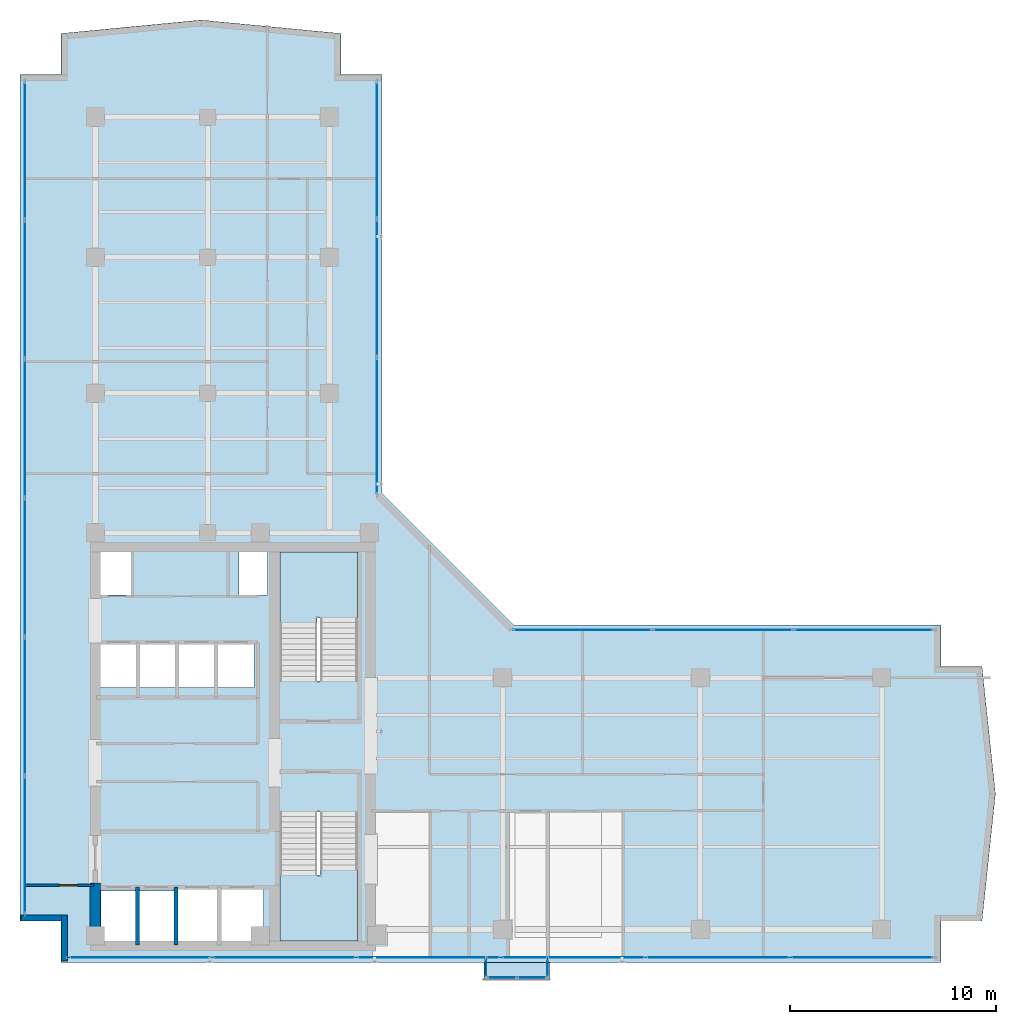
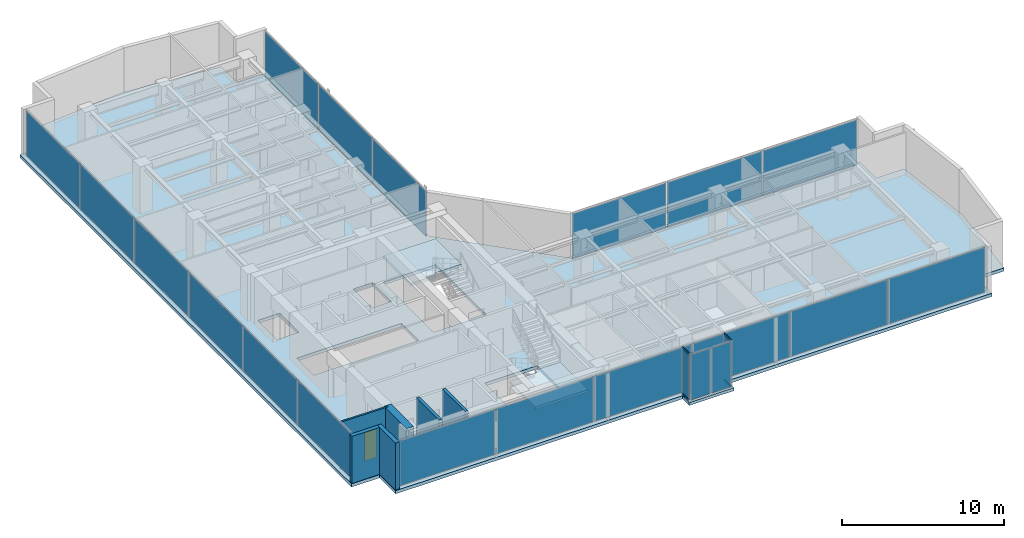
# One storey, part 16 of 22: 22 plates, 6 walls, 4 members, 4 slabs, 1 door, 1 opening, 9 elements without a shape of their own.
"""IFC4 building model written with IfcOpenShell, lengths in metres."""

from ifc_helpers import new_model, si_unit, direction, frame, frame_2d, origin, origin_with_axes, origin_2d, place, context, subcontext, project, spatial, polyline, rectangle, hollow_rectangle, outline, extrude, source, transform, mapped, material, layer, layer_set, material_profile, profile_set, type_object, element, fill, aggregate, save


model = new_model("IFC4")

# Units and contexts
model_context = context("Model", 3, precision=1e-05, world=origin(), true_north=direction((0.0, 1.0)))
body_context = subcontext(model_context, "Body", "Model", "MODEL_VIEW")
ifc_project = project(units=[si_unit("LENGTHUNIT", "METRE"), si_unit("AREAUNIT", "SQUARE_METRE"), si_unit("VOLUMEUNIT", "CUBIC_METRE"), si_unit("PLANEANGLEUNIT", "RADIAN"), si_unit("MASSUNIT", "GRAM", prefix="KILO")], contexts=[model_context])

# Site, building, storey
site_placement = place(None, origin())
site = spatial("IfcSite", under=ifc_project, at=site_placement, CompositionType="ELEMENT")
building_placement = place(site_placement, origin())
building = spatial("IfcBuilding", under=site, at=building_placement, Name="Kolvaren Waterfront Exchange", CompositionType="ELEMENT")
storey_placement = place(building_placement, frame((0.0, 0.0, 278.0)))
storey = spatial("IfcBuildingStorey", under=building, at=storey_placement, Name="L71", CompositionType="ELEMENT", Elevation=278.0)

# Curtain wall, members
ifc_material_1 = material(Name="Anodised bronze aluminium 6063-T6", Category="aluminium")
ifc_layer_1 = layer(ifc_material_1, 0.219970703125, Name="Anodised bronze aluminium 6063-T6")
ifc_layer_set_1 = layer_set([ifc_layer_1], Name="Anodised bronze aluminium 6063-T6")
curtain_wall_type_1 = type_object("IfcCurtainWallType", Name="ARC-CW-SYS3", PredefinedType="USERDEFINED", material=ifc_layer_set_1)
curtain_wall_1_placement = place(storey_placement, origin())
curtain_wall_1 = element("IfcCurtainWall", 1, at=curtain_wall_1_placement, inside=storey, type_object=curtain_wall_type_1, Name="L71 stick curtain wall CW3 (CW-L71-BOX-W)", ObjectType="STICK CURTAIN WALL", PredefinedType="USERDEFINED")
ifc_material_profile = material_profile(ifc_material_1, hollow_rectangle(XDim=0.06494140625, YDim=0.1298828125, WallThickness=0.00390625, at=origin_2d()), Name="ALU-TRN-130x65x4")
ifc_profile_set = profile_set([ifc_material_profile], Name="Anodised bronze aluminium 6063-T6")
member_type = type_object("IfcMemberType", Name="ARC-CWT-130", PredefinedType="USERDEFINED", material=ifc_profile_set)
shared_shape_1 = source(origin_with_axes(), body_context, "Body", "SweptSolid", [
    extrude(hollow_rectangle(XDim=0.06494140625, YDim=0.1298828125, WallThickness=0.00390625, at=origin_2d()), origin(), (0.0, 0.0, 1.0), 0.829833984375),
])
member_1_placement = place(storey_placement, frame((26.409912109375, 3.764892578125, 0.032470703125), z_axis=(0.0, -1.0, 0.0), x_axis=(1.0, 0.0, 0.0)))
member_1 = element("IfcMember", 2, at=member_1_placement, type_object=member_type, Name="CW3 transom 1.1", ObjectType="TRANSOM", PredefinedType="USERDEFINED", context=body_context, shape_type="MappedRepresentation", body=[
    mapped(shared_shape_1, transform((0.0, 0.0, 0.0), x_axis=(1.0, 0.0, 0.0), y_axis=(0.0, 1.0, 0.0), z_axis=(0.0, 0.0, 1.0), scale=1.0)),
])
member_2_placement = place(storey_placement, frame((26.409912109375, 3.764892578125, 3.527587890625), z_axis=(0.0, -1.0, 0.0), x_axis=(1.0, 0.0, 0.0)))
member_2 = element("IfcMember", 3, at=member_2_placement, type_object=member_type, Name="CW3 transom 1.2", ObjectType="TRANSOM", PredefinedType="USERDEFINED", context=body_context, shape_type="MappedRepresentation", body=[
    mapped(shared_shape_1, transform((0.0, 0.0, 0.0), x_axis=(1.0, 0.0, 0.0), y_axis=(0.0, 1.0, 0.0), z_axis=(0.0, 0.0, 1.0), scale=1.0)),
])

curtain_wall_2_placement = place(storey_placement, origin())
curtain_wall_2 = element("IfcCurtainWall", 4, at=curtain_wall_2_placement, inside=storey, type_object=curtain_wall_type_1, Name="L71 stick curtain wall CW3 (CW-L71-BOX-E)", ObjectType="STICK CURTAIN WALL", PredefinedType="USERDEFINED")
member_3_placement = place(storey_placement, frame((29.389892578125, 2.93505859375, 0.032470703125), z_axis=(0.0, 1.0, 0.0), x_axis=(-1.0, 0.0, 0.0)))
member_3 = element("IfcMember", 5, at=member_3_placement, type_object=member_type, Name="CW3 transom 1.1", ObjectType="TRANSOM", PredefinedType="USERDEFINED", context=body_context, shape_type="MappedRepresentation", body=[
    mapped(shared_shape_1, transform((0.0, 0.0, 0.0), x_axis=(1.0, 0.0, 0.0), y_axis=(0.0, 1.0, 0.0), z_axis=(0.0, 0.0, 1.0), scale=1.0)),
])
member_4_placement = place(storey_placement, frame((29.389892578125, 2.93505859375, 3.527587890625), z_axis=(0.0, 1.0, 0.0), x_axis=(-1.0, 0.0, 0.0)))
member_4 = element("IfcMember", 6, at=member_4_placement, type_object=member_type, Name="CW3 transom 1.2", ObjectType="TRANSOM", PredefinedType="USERDEFINED", context=body_context, shape_type="MappedRepresentation", body=[
    mapped(shared_shape_1, transform((0.0, 0.0, 0.0), x_axis=(1.0, 0.0, 0.0), y_axis=(0.0, 1.0, 0.0), z_axis=(0.0, 0.0, 1.0), scale=1.0)),
])

# Stair, slab
ifc_material_2 = material(Name="Concrete C40/50", Category="concrete")
stair_type = type_object("IfcStairType", Name="ARC-STAIR-3800", PredefinedType="HALF_TURN_STAIR", material=ifc_material_2)
stair_1_placement = place(storey_placement, origin())
stair_1 = element("IfcStair", 7, at=stair_1_placement, inside=storey, type_object=stair_type, Name="L71 Smoke-proof exit stair ST1", PredefinedType="HALF_TURN_STAIR")
ifc_layer_2 = layer(ifc_material_2, 0.199951171875, Name="Concrete C40/50")
ifc_layer_set_2 = layer_set([ifc_layer_2], Name="Concrete C40/50")
slab_type_1 = type_object("IfcSlabType", Name="STR-LANDING-200", PredefinedType="LANDING", material=ifc_layer_set_2)
slab_1_placement = place(storey_placement, frame((0.0, 0.0, 1.77587890625)))
slab_1 = element("IfcSlab", 8, at=slab_1_placement, type_object=slab_type_1, Name="ST1 landing 1", PredefinedType="LANDING", context=body_context, shape_type="SweptSolid", body=[
    extrude(outline(polyline([(16.39990234375, 7.840087890625), (16.39990234375, 4.64990234375), (20.159912109375, 4.64990234375), (20.159912109375, 8.10009765625), (18.360107421875, 8.10009765625), (18.360107421875, 7.840087890625), (16.39990234375, 7.840087890625)])), origin(), (0.0, 0.0, 1.0), 0.2001953125),
])
aggregate(stair_1, [slab_1])

stair_2_placement = place(storey_placement, origin())
stair_2 = element("IfcStair", 9, at=stair_2_placement, inside=storey, type_object=stair_type, Name="L71 Smoke-proof exit stair ST2", PredefinedType="HALF_TURN_STAIR")
slab_2_placement = place(storey_placement, frame((0.0, 0.0, 1.77587890625)))
slab_2 = element("IfcSlab", 10, at=slab_2_placement, type_object=slab_type_1, Name="ST2 landing 1", PredefinedType="LANDING", context=body_context, shape_type="SweptSolid", body=[
    extrude(outline(polyline([(20.159912109375, 20.31005859375), (20.159912109375, 23.5), (16.39990234375, 23.5), (16.39990234375, 20.050048828125), (18.199951171875, 20.050048828125), (18.199951171875, 20.31005859375), (20.159912109375, 20.31005859375)])), origin(), (0.0, 0.0, 1.0), 0.2001953125),
])
aggregate(stair_2, [slab_2])

# Slabs
ifc_layer_3 = layer(ifc_material_2, 0.239990234375, Name="Concrete C40/50")
ifc_layer_set_3 = layer_set([ifc_layer_3], Name="Concrete C40/50")
slab_type_2 = type_object("IfcSlabType", Name="STR-SLAB-240", PredefinedType="FLOOR", material=ifc_layer_set_3)
slab_3_placement = place(storey_placement, frame((0.0, 0.0, -0.239990234375)))
element("IfcSlab", 11, at=slab_3_placement, inside=storey, type_object=slab_type_2, Name="L71 structural floor slab", PredefinedType="FLOOR", context=body_context, shape_type="SweptSolid", body=[
    extrude(outline(polyline([(5.800048828125, 3.60009765625), (48.45263671875, 3.60009765625), (48.45263671875, 5.60009765625), (50.45263671875, 5.60009765625), (51.105224609375, 11.779052734375), (50.45263671875, 17.9580078125), (48.45263671875, 17.9580078125), (48.45263671875, 19.9580078125), (27.7578125, 19.9580078125), (21.35791015625, 26.35791015625), (21.35791015625, 46.652587890625), (19.35791015625, 46.652587890625), (19.35791015625, 48.652587890625), (12.578857421875, 49.30517578125), (5.800048828125, 48.652587890625), (5.800048828125, 46.652587890625), (3.800048828125, 46.652587890625), (3.800048828125, 5.60009765625), (5.800048828125, 5.60009765625), (5.800048828125, 3.60009765625)]), holes=[polyline([(11.320068359375, 7.260009765625), (15.610107421875, 7.260009765625), (15.610107421875, 4.5400390625), (7.719970703125, 4.5400390625), (7.719970703125, 7.06005859375), (11.320068359375, 7.06005859375), (11.320068359375, 7.260009765625)]), polyline([(20.159912109375, 10.89990234375), (20.159912109375, 4.64990234375), (16.39990234375, 4.64990234375), (16.39990234375, 10.89990234375), (20.159912109375, 10.89990234375)]), polyline([(7.669921875, 19.06005859375), (15.159912109375, 19.06005859375), (15.159912109375, 16.93994140625), (7.669921875, 16.93994140625), (7.669921875, 19.06005859375)]), polyline([(16.39990234375, 17.25), (16.39990234375, 23.5), (20.159912109375, 23.5), (20.159912109375, 17.25), (16.39990234375, 17.25)]), polyline([(7.60009765625, 23.780029296875), (9.179931640625, 23.780029296875), (9.179931640625, 21.419921875), (7.60009765625, 21.419921875), (7.60009765625, 23.780029296875)]), polyline([(14.419921875, 23.780029296875), (15.800048828125, 23.780029296875), (15.800048828125, 21.419921875), (14.419921875, 21.419921875), (14.419921875, 23.780029296875)])]), origin(), (0.0, 0.0, 1.0), 0.239990234375),
])
ifc_layer_4 = layer(ifc_material_2, 0.219970703125, Name="Concrete C40/50")
ifc_layer_set_4 = layer_set([ifc_layer_4], Name="Concrete C40/50")
slab_type_3 = type_object("IfcSlabType", Name="STR-TERR-220", PredefinedType="FLOOR", material=ifc_layer_set_4)
slab_4_placement = place(storey_placement, frame((0.0, 0.0, -0.219970703125)))
element("IfcSlab", 12, at=slab_4_placement, inside=storey, type_object=slab_type_3, Name="L71 projecting bay-box floor strip", PredefinedType="FLOOR", context=body_context, shape_type="SweptSolid", body=[
    extrude(outline(polyline([(26.300048828125, 2.75), (29.5, 2.75), (29.5, 3.60009765625), (26.300048828125, 3.60009765625), (26.300048828125, 2.75)])), origin(), (0.0, 0.0, 1.0), 0.219970703125),
])

# Plate
ifc_material_3 = material(Name="Bronze tinted bay-box vision glass", Category="aluminium")
ifc_layer_5 = layer(ifc_material_3, 0.02392578125, Name="Bronze tinted bay-box vision glass")
ifc_layer_set_5 = layer_set([ifc_layer_5], Name="Bronze tinted bay-box vision glass")
plate_type_1 = type_object("IfcPlateType", Name="ARC-CWP-24", PredefinedType="CURTAIN_PANEL", material=ifc_layer_set_5)
shared_shape_2 = source(origin_with_axes(), body_context, "Body", "SweptSolid", [
    extrude(rectangle(XDim=0.830078125, YDim=0.02392578125, at=origin_2d()), origin(), (0.0, 0.0, 1.0), 3.429931640625),
])
plate_1_placement = place(storey_placement, frame((26.409912109375, 3.35009765625, 0.06494140625), z_axis=(0.0, 0.0, 1.0), x_axis=(0.0, -1.0, 0.0)))
plate_1 = element("IfcPlate", 13, at=plate_1_placement, type_object=plate_type_1, Name="CW3 panel 1.1", PredefinedType="CURTAIN_PANEL", context=body_context, shape_type="MappedRepresentation", body=[
    mapped(shared_shape_2, transform((0.0, 0.0, 0.0), x_axis=(1.0, 0.0, 0.0), y_axis=(0.0, 1.0, 0.0), z_axis=(0.0, 0.0, 1.0), scale=1.0)),
])

aggregate(curtain_wall_1, [member_1, member_2, plate_1])

plate_2_placement = place(storey_placement, frame((29.389892578125, 3.35009765625, 0.06494140625), z_axis=(0.0, 0.0, 1.0), x_axis=(0.0, 1.0, 0.0)))
plate_2 = element("IfcPlate", 14, at=plate_2_placement, type_object=plate_type_1, Name="CW3 panel 1.1", PredefinedType="CURTAIN_PANEL", context=body_context, shape_type="MappedRepresentation", body=[
    mapped(shared_shape_2, transform((0.0, 0.0, 0.0), x_axis=(1.0, 0.0, 0.0), y_axis=(0.0, 1.0, 0.0), z_axis=(0.0, 0.0, 1.0), scale=1.0)),
])

aggregate(curtain_wall_2, [member_3, member_4, plate_2])

# Curtain wall, plates
curtain_wall_3_placement = place(storey_placement, origin())
curtain_wall_3 = element("IfcCurtainWall", 15, at=curtain_wall_3_placement, inside=storey, type_object=curtain_wall_type_1, Name="L71 stick curtain wall CW3 (CW-L71-BOX)", ObjectType="STICK CURTAIN WALL", PredefinedType="USERDEFINED")
shared_shape_3 = source(origin_with_axes(), body_context, "Body", "SweptSolid", [
    extrude(rectangle(XDim=1.37744140625, YDim=0.02392578125, at=origin_2d()), origin(), (0.0, 0.0, 1.0), 3.429931640625),
])
plate_3_placement = place(storey_placement, frame((27.173828125, 2.860107421875, 0.06494140625), z_axis=(0.0, 0.0, 1.0), x_axis=(1.0, 0.0, 0.0)))
plate_3 = element("IfcPlate", 16, at=plate_3_placement, type_object=plate_type_1, Name="CW3 panel 1.1", PredefinedType="CURTAIN_PANEL", context=body_context, shape_type="MappedRepresentation", body=[
    mapped(shared_shape_3, transform((0.0, 0.0, 0.0), x_axis=(1.0, 0.0, 0.0), y_axis=(0.0, 1.0, 0.0), z_axis=(0.0, 0.0, 1.0), scale=1.0)),
])
plate_4_placement = place(storey_placement, frame((28.626220703125, 2.860107421875, 0.06494140625), z_axis=(0.0, 0.0, 1.0), x_axis=(1.0, 0.0, 0.0)))
plate_4 = element("IfcPlate", 17, at=plate_4_placement, type_object=plate_type_1, Name="CW3 panel 2.1", PredefinedType="CURTAIN_PANEL", context=body_context, shape_type="MappedRepresentation", body=[
    mapped(shared_shape_3, transform((0.0, 0.0, 0.0), x_axis=(1.0, 0.0, 0.0), y_axis=(0.0, 1.0, 0.0), z_axis=(0.0, 0.0, 1.0), scale=1.0)),
])
aggregate(curtain_wall_3, [plate_3, plate_4])

ifc_layer_6 = layer(ifc_material_1, 0.219970703125, Name="Anodised bronze aluminium 6063-T6")
ifc_layer_set_6 = layer_set([ifc_layer_6], Name="Anodised bronze aluminium 6063-T6")
curtain_wall_type_2 = type_object("IfcCurtainWallType", Name="ARC-CW-SYS1", PredefinedType="USERDEFINED", material=ifc_layer_set_6)
curtain_wall_4_placement = place(storey_placement, origin())
curtain_wall_4 = element("IfcCurtainWall", 18, at=curtain_wall_4_placement, inside=storey, type_object=curtain_wall_type_2, Name="L71 stick curtain wall CW1 (CW-L71-S)", ObjectType="STICK CURTAIN WALL", PredefinedType="USERDEFINED")
ifc_material_4 = material(Name="Bronze solar control vision glass", Category="aluminium")
ifc_layer_7 = layer(ifc_material_4, 0.028076171875, Name="Bronze solar control vision glass")
ifc_layer_set_7 = layer_set([ifc_layer_7], Name="Bronze solar control vision glass")
plate_type_2 = type_object("IfcPlateType", Name="ARC-CWP-28", PredefinedType="CURTAIN_PANEL", material=ifc_layer_set_7)
shared_shape_4 = source(origin_with_axes(), body_context, "Body", "SweptSolid", [
    extrude(rectangle(XDim=6.888671875, YDim=0.028076171875, at=origin_2d()), origin(), (0.0, 0.0, 1.0), 3.409912109375),
])
plate_5_placement = place(storey_placement, frame((9.624267578125, 3.840087890625, 0.0751953125), z_axis=(0.0, 0.0, 1.0), x_axis=(1.0, 0.0, 0.0)))
plate_5 = element("IfcPlate", 19, at=plate_5_placement, type_object=plate_type_2, Name="CW1 panel 1.1", PredefinedType="CURTAIN_PANEL", context=body_context, shape_type="MappedRepresentation", body=[
    mapped(shared_shape_4, transform((0.0, 0.0, 0.0), x_axis=(1.0, 0.0, 0.0), y_axis=(0.0, 1.0, 0.0), z_axis=(0.0, 0.0, 1.0), scale=1.0)),
])
plate_6_placement = place(storey_placement, frame((44.628173828125, 3.840087890625, 0.0751953125), z_axis=(0.0, 0.0, 1.0), x_axis=(1.0, 0.0, 0.0)))
plate_6 = element("IfcPlate", 20, at=plate_6_placement, type_object=plate_type_2, Name="CW1 panel 6.1", PredefinedType="CURTAIN_PANEL", context=body_context, shape_type="MappedRepresentation", body=[
    mapped(shared_shape_4, transform((0.0, 0.0, 0.0), x_axis=(1.0, 0.0, 0.0), y_axis=(0.0, 1.0, 0.0), z_axis=(0.0, 0.0, 1.0), scale=1.0)),
])
shared_shape_5 = source(origin_with_axes(), body_context, "Body", "SweptSolid", [
    extrude(rectangle(XDim=6.9287109375, YDim=0.028076171875, at=origin_2d()), origin(), (0.0, 0.0, 1.0), 3.409912109375),
])
plate_7_placement = place(storey_placement, frame((16.613037109375, 3.840087890625, 0.0751953125), z_axis=(0.0, 0.0, 1.0), x_axis=(1.0, 0.0, 0.0)))
plate_7 = element("IfcPlate", 21, at=plate_7_placement, type_object=plate_type_2, Name="CW1 panel 2.1", PredefinedType="CURTAIN_PANEL", context=body_context, shape_type="MappedRepresentation", body=[
    mapped(shared_shape_5, transform((0.0, 0.0, 0.0), x_axis=(1.0, 0.0, 0.0), y_axis=(0.0, 1.0, 0.0), z_axis=(0.0, 0.0, 1.0), scale=1.0)),
])
plate_8_placement = place(storey_placement, frame((23.621826171875, 3.840087890625, 0.0751953125), z_axis=(0.0, 0.0, 1.0), x_axis=(1.0, 0.0, 0.0)))
plate_8 = element("IfcPlate", 22, at=plate_8_placement, type_object=plate_type_2, Name="CW1 panel 3.1", PredefinedType="CURTAIN_PANEL", context=body_context, shape_type="MappedRepresentation", body=[
    mapped(shared_shape_5, transform((0.0, 0.0, 0.0), x_axis=(1.0, 0.0, 0.0), y_axis=(0.0, 1.0, 0.0), z_axis=(0.0, 0.0, 1.0), scale=1.0)),
])
plate_9_placement = place(storey_placement, frame((30.630615234375, 3.840087890625, 0.0751953125), z_axis=(0.0, 0.0, 1.0), x_axis=(1.0, 0.0, 0.0)))
plate_9 = element("IfcPlate", 23, at=plate_9_placement, type_object=plate_type_2, Name="CW1 panel 4.1", PredefinedType="CURTAIN_PANEL", context=body_context, shape_type="MappedRepresentation", body=[
    mapped(shared_shape_5, transform((0.0, 0.0, 0.0), x_axis=(1.0, 0.0, 0.0), y_axis=(0.0, 1.0, 0.0), z_axis=(0.0, 0.0, 1.0), scale=1.0)),
])
plate_10_placement = place(storey_placement, frame((37.639404296875, 3.840087890625, 0.0751953125), z_axis=(0.0, 0.0, 1.0), x_axis=(1.0, 0.0, 0.0)))
plate_10 = element("IfcPlate", 24, at=plate_10_placement, type_object=plate_type_2, Name="CW1 panel 5.1", PredefinedType="CURTAIN_PANEL", context=body_context, shape_type="MappedRepresentation", body=[
    mapped(shared_shape_5, transform((0.0, 0.0, 0.0), x_axis=(1.0, 0.0, 0.0), y_axis=(0.0, 1.0, 0.0), z_axis=(0.0, 0.0, 1.0), scale=1.0)),
])
aggregate(curtain_wall_4, [plate_5, plate_7, plate_8, plate_9, plate_10, plate_6])

ifc_material_5 = material(Name="Anodised aluminium 6063-T6", Category="aluminium")
ifc_layer_8 = layer(ifc_material_5, 0.219970703125, Name="Anodised aluminium 6063-T6")
ifc_layer_set_8 = layer_set([ifc_layer_8], Name="Anodised aluminium 6063-T6")
curtain_wall_type_3 = type_object("IfcCurtainWallType", Name="ARC-CW-SYS2", PredefinedType="USERDEFINED", material=ifc_layer_set_8)
curtain_wall_5_placement = place(storey_placement, origin())
curtain_wall_5 = element("IfcCurtainWall", 25, at=curtain_wall_5_placement, inside=storey, type_object=curtain_wall_type_3, Name="L71 stick curtain wall CW2 (CW-L71-W)", ObjectType="STICK CURTAIN WALL", PredefinedType="USERDEFINED")
ifc_material_6 = material(Name="Acoustic laminated vision glass", Category="glass")
ifc_layer_9 = layer(ifc_material_6, 0.031982421875, Name="Acoustic laminated vision glass")
ifc_layer_set_9 = layer_set([ifc_layer_9], Name="Acoustic laminated vision glass")
plate_type_3 = type_object("IfcPlateType", Name="ARC-CWP-32", PredefinedType="CURTAIN_PANEL", material=ifc_layer_set_9)
shared_shape_6 = source(origin_with_axes(), body_context, "Body", "SweptSolid", [
    extrude(rectangle(XDim=6.6220703125, YDim=0.031982421875, at=origin_2d()), origin(), (0.0, 0.0, 1.0), 3.409912109375),
])
plate_11_placement = place(storey_placement, frame((4.0400390625, 9.291015625, 0.0751953125), z_axis=(0.0, 0.0, 1.0), x_axis=(0.0, 1.0, 0.0)))
plate_11 = element("IfcPlate", 26, at=plate_11_placement, type_object=plate_type_3, Name="CW2 panel 1.1", PredefinedType="CURTAIN_PANEL", context=body_context, shape_type="MappedRepresentation", body=[
    mapped(shared_shape_6, transform((0.0, 0.0, 0.0), x_axis=(1.0, 0.0, 0.0), y_axis=(0.0, 1.0, 0.0), z_axis=(0.0, 0.0, 1.0), scale=1.0)),
])
plate_12_placement = place(storey_placement, frame((4.0400390625, 42.961669921875, 0.0751953125), z_axis=(0.0, 0.0, 1.0), x_axis=(0.0, 1.0, 0.0)))
plate_12 = element("IfcPlate", 27, at=plate_12_placement, type_object=plate_type_3, Name="CW2 panel 6.1", PredefinedType="CURTAIN_PANEL", context=body_context, shape_type="MappedRepresentation", body=[
    mapped(shared_shape_6, transform((0.0, 0.0, 0.0), x_axis=(1.0, 0.0, 0.0), y_axis=(0.0, 1.0, 0.0), z_axis=(0.0, 0.0, 1.0), scale=1.0)),
])
shared_shape_7 = source(origin_with_axes(), body_context, "Body", "SweptSolid", [
    extrude(rectangle(XDim=6.662109375, YDim=0.031982421875, at=origin_2d()), origin(), (0.0, 0.0, 1.0), 3.409912109375),
])
plate_13_placement = place(storey_placement, frame((4.0400390625, 16.01318359375, 0.0751953125), z_axis=(0.0, 0.0, 1.0), x_axis=(0.0, 1.0, 0.0)))
plate_13 = element("IfcPlate", 28, at=plate_13_placement, type_object=plate_type_3, Name="CW2 panel 2.1", PredefinedType="CURTAIN_PANEL", context=body_context, shape_type="MappedRepresentation", body=[
    mapped(shared_shape_7, transform((0.0, 0.0, 0.0), x_axis=(1.0, 0.0, 0.0), y_axis=(0.0, 1.0, 0.0), z_axis=(0.0, 0.0, 1.0), scale=1.0)),
])
plate_14_placement = place(storey_placement, frame((4.0400390625, 22.75537109375, 0.0751953125), z_axis=(0.0, 0.0, 1.0), x_axis=(0.0, 1.0, 0.0)))
plate_14 = element("IfcPlate", 29, at=plate_14_placement, type_object=plate_type_3, Name="CW2 panel 3.1", PredefinedType="CURTAIN_PANEL", context=body_context, shape_type="MappedRepresentation", body=[
    mapped(shared_shape_7, transform((0.0, 0.0, 0.0), x_axis=(1.0, 0.0, 0.0), y_axis=(0.0, 1.0, 0.0), z_axis=(0.0, 0.0, 1.0), scale=1.0)),
])
plate_15_placement = place(storey_placement, frame((4.0400390625, 29.497314453125, 0.0751953125), z_axis=(0.0, 0.0, 1.0), x_axis=(0.0, 1.0, 0.0)))
plate_15 = element("IfcPlate", 30, at=plate_15_placement, type_object=plate_type_3, Name="CW2 panel 4.1", PredefinedType="CURTAIN_PANEL", context=body_context, shape_type="MappedRepresentation", body=[
    mapped(shared_shape_7, transform((0.0, 0.0, 0.0), x_axis=(1.0, 0.0, 0.0), y_axis=(0.0, 1.0, 0.0), z_axis=(0.0, 0.0, 1.0), scale=1.0)),
])
plate_16_placement = place(storey_placement, frame((4.0400390625, 36.239501953125, 0.0751953125), z_axis=(0.0, 0.0, 1.0), x_axis=(0.0, 1.0, 0.0)))
plate_16 = element("IfcPlate", 31, at=plate_16_placement, type_object=plate_type_3, Name="CW2 panel 5.1", PredefinedType="CURTAIN_PANEL", context=body_context, shape_type="MappedRepresentation", body=[
    mapped(shared_shape_7, transform((0.0, 0.0, 0.0), x_axis=(1.0, 0.0, 0.0), y_axis=(0.0, 1.0, 0.0), z_axis=(0.0, 0.0, 1.0), scale=1.0)),
])
aggregate(curtain_wall_5, [plate_11, plate_13, plate_14, plate_15, plate_16, plate_12])

curtain_wall_6_placement = place(storey_placement, origin())
curtain_wall_6 = element("IfcCurtainWall", 32, at=curtain_wall_6_placement, inside=storey, type_object=curtain_wall_type_2, Name="L71 stick curtain wall CW1 (CW-L71-NE)", ObjectType="STICK CURTAIN WALL", PredefinedType="USERDEFINED")
shared_shape_8 = source(origin_with_axes(), body_context, "Body", "SweptSolid", [
    extrude(rectangle(XDim=6.58154296875, YDim=0.028076171875, at=origin_2d()), origin(), (0.0, 0.0, 1.0), 3.409912109375),
])
plate_17_placement = place(storey_placement, frame((21.117919921875, 29.61865234375, 0.0751953125), z_axis=(0.0, 0.0, 1.0), x_axis=(0.0, 1.0, 0.0)))
plate_17 = element("IfcPlate", 33, at=plate_17_placement, type_object=plate_type_2, Name="CW1 panel 1.1", PredefinedType="CURTAIN_PANEL", context=body_context, shape_type="MappedRepresentation", body=[
    mapped(shared_shape_8, transform((0.0, 0.0, 0.0), x_axis=(1.0, 0.0, 0.0), y_axis=(0.0, 1.0, 0.0), z_axis=(0.0, 0.0, 1.0), scale=1.0)),
])
plate_18_placement = place(storey_placement, frame((21.117919921875, 42.98193359375, 0.0751953125), z_axis=(0.0, 0.0, 1.0), x_axis=(0.0, 1.0, 0.0)))
plate_18 = element("IfcPlate", 34, at=plate_18_placement, type_object=plate_type_2, Name="CW1 panel 3.1", PredefinedType="CURTAIN_PANEL", context=body_context, shape_type="MappedRepresentation", body=[
    mapped(shared_shape_8, transform((0.0, 0.0, 0.0), x_axis=(1.0, 0.0, 0.0), y_axis=(0.0, 1.0, 0.0), z_axis=(0.0, 0.0, 1.0), scale=1.0)),
])
shared_shape_9 = source(origin_with_axes(), body_context, "Body", "SweptSolid", [
    extrude(rectangle(XDim=6.62158203125, YDim=0.028076171875, at=origin_2d()), origin(), (0.0, 0.0, 1.0), 3.409912109375),
])
plate_19_placement = place(storey_placement, frame((21.117919921875, 36.30029296875, 0.0751953125), z_axis=(0.0, 0.0, 1.0), x_axis=(0.0, 1.0, 0.0)))
plate_19 = element("IfcPlate", 35, at=plate_19_placement, type_object=plate_type_2, Name="CW1 panel 2.1", PredefinedType="CURTAIN_PANEL", context=body_context, shape_type="MappedRepresentation", body=[
    mapped(shared_shape_9, transform((0.0, 0.0, 0.0), x_axis=(1.0, 0.0, 0.0), y_axis=(0.0, 1.0, 0.0), z_axis=(0.0, 0.0, 1.0), scale=1.0)),
])
aggregate(curtain_wall_6, [plate_17, plate_19, plate_18])

curtain_wall_7_placement = place(storey_placement, origin())
curtain_wall_7 = element("IfcCurtainWall", 36, at=curtain_wall_7_placement, inside=storey, type_object=curtain_wall_type_2, Name="L71 stick curtain wall CW1 (CW-L71-EN)", ObjectType="STICK CURTAIN WALL", PredefinedType="USERDEFINED")
shared_shape_10 = source(origin_with_axes(), body_context, "Body", "SweptSolid", [
    extrude(rectangle(XDim=6.71484375, YDim=0.028076171875, at=origin_2d()), origin(), (0.0, 0.0, 1.0), 3.409912109375),
])
plate_20_placement = place(storey_placement, frame((31.08544921875, 19.718017578125, 0.0751953125), z_axis=(0.0, 0.0, 1.0), x_axis=(1.0, 0.0, 0.0)))
plate_20 = element("IfcPlate", 37, at=plate_20_placement, type_object=plate_type_2, Name="CW1 panel 1.1", PredefinedType="CURTAIN_PANEL", context=body_context, shape_type="MappedRepresentation", body=[
    mapped(shared_shape_10, transform((0.0, 0.0, 0.0), x_axis=(1.0, 0.0, 0.0), y_axis=(0.0, 1.0, 0.0), z_axis=(0.0, 0.0, 1.0), scale=1.0)),
])
plate_21_placement = place(storey_placement, frame((44.715087890625, 19.718017578125, 0.0751953125), z_axis=(0.0, 0.0, 1.0), x_axis=(1.0, 0.0, 0.0)))
plate_21 = element("IfcPlate", 38, at=plate_21_placement, type_object=plate_type_2, Name="CW1 panel 3.1", PredefinedType="CURTAIN_PANEL", context=body_context, shape_type="MappedRepresentation", body=[
    mapped(shared_shape_10, transform((0.0, 0.0, 0.0), x_axis=(1.0, 0.0, 0.0), y_axis=(0.0, 1.0, 0.0), z_axis=(0.0, 0.0, 1.0), scale=1.0)),
])
shared_shape_11 = source(origin_with_axes(), body_context, "Body", "SweptSolid", [
    extrude(rectangle(XDim=6.7548828125, YDim=0.028076171875, at=origin_2d()), origin(), (0.0, 0.0, 1.0), 3.409912109375),
])
plate_22_placement = place(storey_placement, frame((37.900146484375, 19.718017578125, 0.0751953125), z_axis=(0.0, 0.0, 1.0), x_axis=(1.0, 0.0, 0.0)))
plate_22 = element("IfcPlate", 39, at=plate_22_placement, type_object=plate_type_2, Name="CW1 panel 2.1", PredefinedType="CURTAIN_PANEL", context=body_context, shape_type="MappedRepresentation", body=[
    mapped(shared_shape_11, transform((0.0, 0.0, 0.0), x_axis=(1.0, 0.0, 0.0), y_axis=(0.0, 1.0, 0.0), z_axis=(0.0, 0.0, 1.0), scale=1.0)),
])
aggregate(curtain_wall_7, [plate_20, plate_22, plate_21])

# Walls
ifc_material_7 = material(Name="Precast concrete C40/50", Category="concrete")
ifc_layer_10 = layer(ifc_material_7, 0.280029296875, Name="Precast concrete C40/50")
ifc_layer_set_10 = layer_set([ifc_layer_10], Name="Precast concrete C40/50")
wall_type_1 = type_object("IfcWallType", Name="ARC-EXT-TERR-280", PredefinedType="SOLIDWALL", material=ifc_layer_set_10)
wall_1_placement = place(storey_placement, frame((5.9599609375, 3.659912109375, 0.0), z_axis=(0.0, 0.0, 1.0), x_axis=(0.0, 1.0, 0.0)))
element("IfcWall", 40, at=wall_1_placement, inside=storey, type_object=wall_type_1, Name="L71 notched corner spandrel pier SW-A", PredefinedType="SOLIDWALL", context=body_context, shape_type="SweptSolid", body=[
    extrude(rectangle(XDim=2.239990234375, YDim=0.280029296875, at=frame_2d((1.1201171875, 0.0))), origin(), (0.0, 0.0, 1.0), 3.56005859375),
])
wall_2_placement = place(storey_placement, frame((3.860107421875, 5.760009765625, 0.0), z_axis=(0.0, 0.0, 1.0), x_axis=(1.0, 0.0, 0.0)))
element("IfcWall", 41, at=wall_2_placement, inside=storey, type_object=wall_type_1, Name="L71 notched corner spandrel pier SW-B", PredefinedType="SOLIDWALL", context=body_context, shape_type="SweptSolid", body=[
    extrude(rectangle(XDim=1.9599609375, YDim=0.280029296875, at=frame_2d((0.97998046875, 0.0))), origin(), (0.0, 0.0, 1.0), 3.56005859375),
])

# Wall, opening, door
ifc_material_8 = material(Name="Acoustic gypsum steel stud", Category="steel")
ifc_layer_11 = layer(ifc_material_8, 0.125, Name="Acoustic gypsum steel stud")
ifc_layer_set_11 = layer_set([ifc_layer_11], Name="Acoustic gypsum steel stud")
wall_type_2 = type_object("IfcWallType", Name="ARC-PART-125", PredefinedType="PARTITIONING", material=ifc_layer_set_11)
wall_3_placement = place(storey_placement, frame((4.0400390625, 7.35009765625, 0.0), z_axis=(0.0, 0.0, 1.0), x_axis=(1.0, 0.0, 0.0)))
wall_3 = element("IfcWall", 42, at=wall_3_placement, inside=storey, type_object=wall_type_2, Name="L71 interior wall PW-L71-SWC-N", PredefinedType="PARTITIONING", context=body_context, shape_type="SweptSolid", body=[
    extrude(rectangle(XDim=3.35986328125, YDim=0.125, at=frame_2d((1.679931640625, 0.0))), origin(), (0.0, 0.0, 1.0), 3.56005859375),
])
opening_placement = place(wall_3_placement, frame((1.686767578125, 0.0, 0.0)))
opening = element("IfcOpeningElement", 43, at=opening_placement, cuts=wall_3, Name="Opening D01", PredefinedType="OPENING", context=body_context, shape_type="SweptSolid", body=[
    extrude(rectangle(XDim=0.85009765625, YDim=2.14990234375, at=frame_2d((0.425048828125, 1.074951171875))), frame((0.0, 0.072509765625, 0.0), z_axis=(0.0, -1.0, 0.0), x_axis=(1.0, 0.0, 0.0)), (0.0, 0.0, 1.0), 0.14501953125),
])
ifc_material_9 = material(Name="Oak veneer timber leaf", Category="wood")
door_type = type_object("IfcDoorType", Name="ARC-DR-900", OperationType="NOTDEFINED", PredefinedType="DOOR", material=ifc_material_9)
door_placement = place(opening_placement, origin())
door = element("IfcDoor", 44, at=door_placement, inside=storey, type_object=door_type, Name="L71 door DR-L71-SWC-D (D01)", OperationType="SINGLE_SWING_LEFT", OverallHeight=2.14990234375, OverallWidth=0.85009765625, PredefinedType="DOOR", context=body_context, shape_type="SweptSolid", body=[
    extrude(rectangle(XDim=0.85009765625, YDim=2.14990234375, at=frame_2d((0.425048828125, 1.074951171875))), frame((0.0, 0.02490234375, 0.0), z_axis=(0.0, -1.0, 0.0), x_axis=(1.0, 0.0, 0.0)), (0.0, 0.0, 1.0), 0.050048828125),
])
fill(opening, door)

# Walls
ifc_layer_12 = layer(ifc_material_2, 0.199951171875, Name="Concrete C40/50")
ifc_layer_set_12 = layer_set([ifc_layer_12], Name="Concrete C40/50")
wall_type_3 = type_object("IfcWallType", Name="ARC-SHAFT-200", PredefinedType="PARTITIONING", material=ifc_layer_set_12)
for number, where, z_axis, x_axis, name in (
    (45, (9.5, 4.449951171875, 0.0), (0.0, 0.0, 1.0), (0.0, 1.0, 0.0), "L71 interior wall PW-L71-SH1-DIV-95"),
    (46, (11.360107421875, 4.449951171875, 0.0), (0.0, 0.0, 1.0), (0.0, 1.0, 0.0), "L71 interior wall PW-L71-SH1-DIV-113"),
):
    element("IfcWall", number, at=place(storey_placement, frame(where, z_axis=z_axis, x_axis=x_axis)), inside=storey, type_object=wall_type_3, Name=name, PredefinedType="PARTITIONING", context=body_context, shape_type="SweptSolid", body=[
        extrude(rectangle(XDim=2.800048828125, YDim=0.199951171875, at=frame_2d((1.39990234375, 0.0))), origin(), (0.0, 0.0, 1.0), 3.56005859375),
    ])
ifc_material_10 = material(Name="Concrete C50/60", Category="concrete")
ifc_layer_13 = layer(ifc_material_10, 0.5, Name="Concrete C50/60")
ifc_layer_set_13 = layer_set([ifc_layer_13], Name="Concrete C50/60")
wall_type_4 = type_object("IfcWallType", Name="STR-CWALL-500", PredefinedType="SHEAR", material=ifc_layer_set_13)
wall_4_placement = place(storey_placement, frame((7.449951171875, 4.64990234375, 0.0), z_axis=(0.0, 0.0, 1.0), x_axis=(0.0, 1.0, 0.0)))
element("IfcWall", 47, at=wall_4_placement, inside=storey, type_object=wall_type_4, Name="L71 rear-core shear wall W1", PredefinedType="SHEAR", context=body_context, shape_type="SweptSolid", body=[
    extrude(rectangle(XDim=2.800048828125, YDim=0.5, at=frame_2d((1.39990234375, 0.0))), origin(), (0.0, 0.0, 1.0), 3.56005859375),
])

save(model, "model.ifc")
